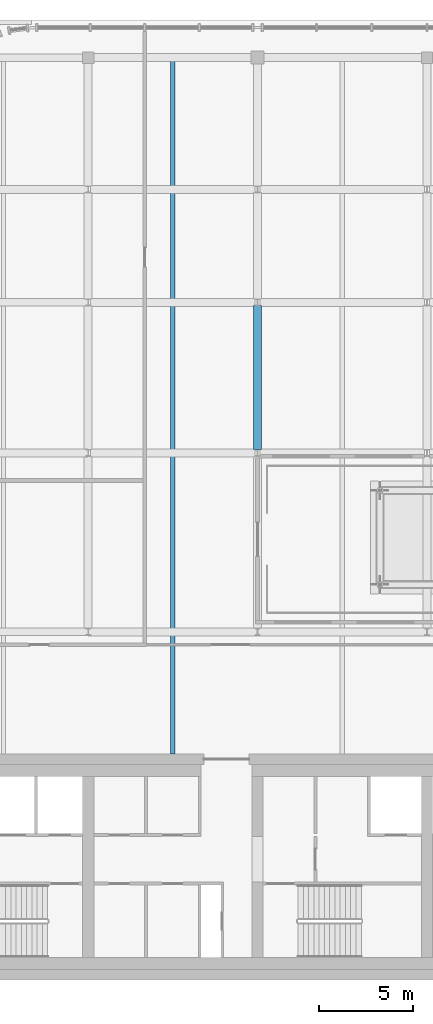
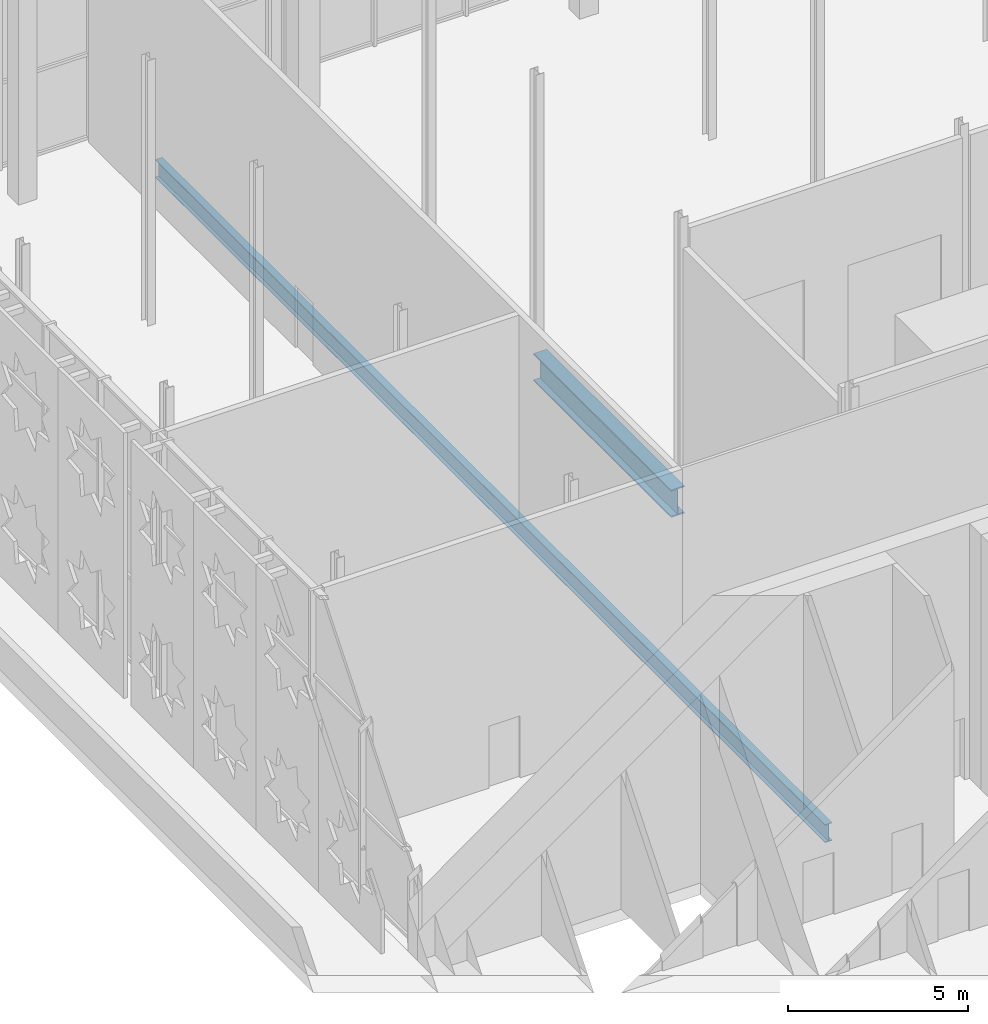
# One storey, part 7 of 26: 2 beams.
"""IFC4 building model written with IfcOpenShell, lengths in metres."""

from ifc_helpers import new_model, si_unit, direction, frame, origin, origin_2d, place, context, subcontext, project, spatial, i_section, extrude, material, material_profile, profile_set, type_object, element, save


model = new_model("IFC4")

# Units and contexts
model_context = context("Model", 3, precision=1e-05, world=origin(), true_north=direction((0.0, 1.0)))
body_context = subcontext(model_context, "Body", "Model", "MODEL_VIEW")
ifc_project = project(units=[si_unit("LENGTHUNIT", "METRE"), si_unit("AREAUNIT", "SQUARE_METRE"), si_unit("VOLUMEUNIT", "CUBIC_METRE"), si_unit("PLANEANGLEUNIT", "RADIAN"), si_unit("MASSUNIT", "GRAM", prefix="KILO")], contexts=[model_context])

# Site, building, storey
site_placement = place(None, origin())
site = spatial("IfcSite", under=ifc_project, at=site_placement, CompositionType="ELEMENT")
building_placement = place(site_placement, origin())
building = spatial("IfcBuilding", under=site, at=building_placement, Name="Zellij Exchange Tower", CompositionType="ELEMENT")
storey_placement = place(building_placement, frame((0.0, 0.0, 296.5)))
storey = spatial("IfcBuildingStorey", under=building, at=storey_placement, Name="L70", CompositionType="ELEMENT", Elevation=296.5)

# Beams
ifc_material_1 = material(Name="Structural steel ASTM A992 Gr 50", Category="steel")
ifc_material_profile_1 = material_profile(ifc_material_1, i_section(OverallWidth=0.22900390625, OverallDepth=0.612060546875, WebThickness=0.011962890625, FlangeThickness=0.01953125, at=origin_2d()), Name="W24x84")
ifc_profile_set_1 = profile_set([ifc_material_profile_1], Name="Structural steel ASTM A992 Gr 50")
beam_type_1 = type_object("IfcBeamType", Name="STR-BEAM W24x84", PredefinedType="BEAM", material=ifc_profile_set_1)
beam_1_placement = place(storey_placement, frame((-13.5, -2.0, -0.7060546875), z_axis=(0.0, 1.0, 0.0), x_axis=(-1.0, 0.0, 0.0)))
element("IfcBeam", 1, at=beam_1_placement, inside=storey, type_object=beam_type_1, Name="B6", PredefinedType="BEAM", context=body_context, shape_type="SweptSolid", body=[
    extrude(i_section(OverallWidth=0.22900390625, OverallDepth=0.612060546875, WebThickness=0.011962890625, FlangeThickness=0.01953125, at=origin_2d()), origin(), (0.0, 0.0, 1.0), 37.212158203125),
])
ifc_material_2 = material(Name="Structural steel ASTM A913 Gr 65", Category="steel")
ifc_material_profile_2 = material_profile(ifc_material_2, i_section(OverallWidth=0.424072265625, OverallDepth=0.93212890625, WebThickness=0.02392578125, FlangeThickness=0.042724609375, at=origin_2d()), Name="W36x300")
ifc_profile_set_2 = profile_set([ifc_material_profile_2], Name="Structural steel ASTM A913 Gr 65")
beam_type_2 = type_object("IfcBeamType", Name="STR-GIRDER W36x300", PredefinedType="BEAM", material=ifc_profile_set_2)
beam_2_placement = place(storey_placement, frame((-9.0, 14.176513671875, -0.8662109375), z_axis=(0.0, 1.0, 0.0), x_axis=(-1.0, 0.0, 0.0)))
element("IfcBeam", 2, at=beam_2_placement, inside=storey, type_object=beam_type_2, Name="G5", PredefinedType="BEAM", context=body_context, shape_type="SweptSolid", body=[
    extrude(i_section(OverallWidth=0.424072265625, OverallDepth=0.93212890625, WebThickness=0.02392578125, FlangeThickness=0.042724609375, at=origin_2d()), origin(), (0.0, 0.0, 1.0), 7.64697265625),
])

save(model, "model.ifc")
